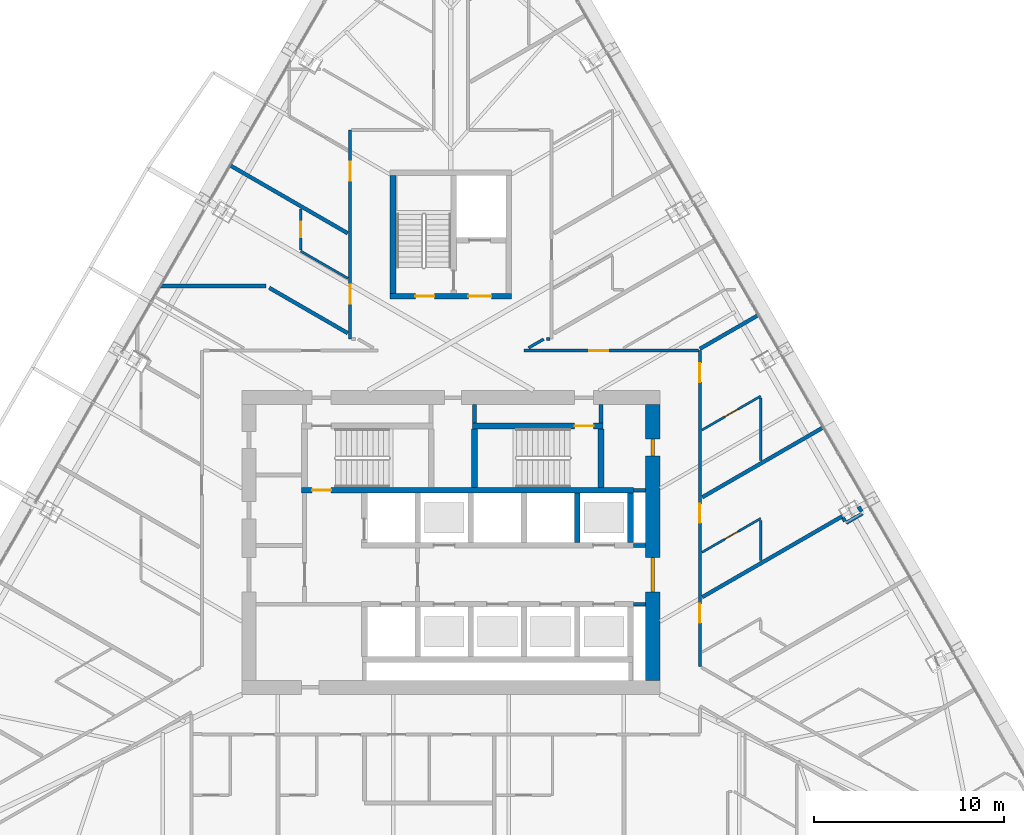
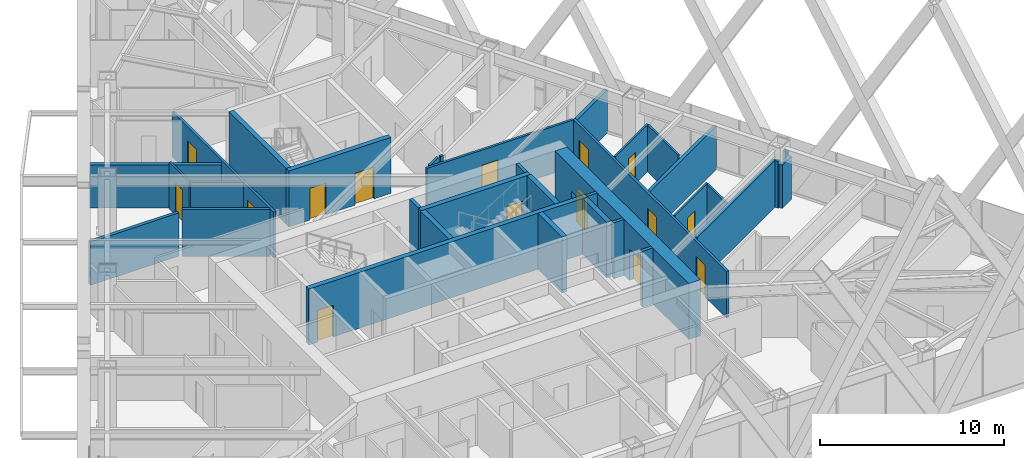
# One storey, part 18 of 26: 34 walls, 15 doors, 15 openings.
"""IFC4 building model written with IfcOpenShell, lengths in metres."""

from ifc_helpers import new_model, si_unit, direction, frame, frame_2d, origin, place, context, subcontext, project, spatial, rectangle, extrude, material, layer, layer_set, type_object, element, fill, save


model = new_model("IFC4")

# Units and contexts
model_context = context("Model", 3, precision=1e-05, world=origin(), true_north=direction((0.0, 1.0)))
body_context = subcontext(model_context, "Body", "Model", "MODEL_VIEW")
ifc_project = project(units=[si_unit("LENGTHUNIT", "METRE"), si_unit("AREAUNIT", "SQUARE_METRE"), si_unit("VOLUMEUNIT", "CUBIC_METRE"), si_unit("PLANEANGLEUNIT", "RADIAN"), si_unit("MASSUNIT", "GRAM", prefix="KILO")], contexts=[model_context])

# Site, building, storey
site_placement = place(None, origin())
site = spatial("IfcSite", under=ifc_project, at=site_placement, CompositionType="ELEMENT")
building_placement = place(site_placement, origin())
building = spatial("IfcBuilding", under=site, at=building_placement, Name="Firuza Gate Tower and Library", CompositionType="ELEMENT")
storey_placement = place(building_placement, frame((0.0, 0.0, 155.800048828125)))
storey = spatial("IfcBuildingStorey", under=building, at=storey_placement, Name="L35", CompositionType="ELEMENT", Elevation=155.800048828125)

# Walls
ifc_material_1 = material(Name="Plasterboard on steel studs", Category="steel")
ifc_layer_1 = layer(ifc_material_1, 0.199951171875)
ifc_layer_set_1 = layer_set([ifc_layer_1], Name="Core partition 200 EI 120")
wall_type_1 = type_object("IfcWallType", Name="Core partition 200 EI 120", PredefinedType="PARTITIONING", material=ifc_layer_set_1)
for number, where, z_axis, x_axis, name in (
    (1, (84.60009765625, 71.75, 0.0), (0.0, 0.0, 1.0), (1.0, 0.0, 0.0), "Core partition L35 2"),
    (2, (84.60009765625, 74.85009765625, 0.0), (0.0, 0.0, 1.0), (1.0, 0.0, 0.0), "Core partition L35 4"),
    (3, (84.60009765625, 77.75, 0.0), (0.0, 0.0, 1.0), (1.0, 0.0, 0.0), "Core partition L35 5"),
):
    element("IfcWall", number, at=place(storey_placement, frame(where, z_axis=z_axis, x_axis=x_axis)), inside=storey, type_object=wall_type_1, Name=name, PredefinedType="PARTITIONING", context=body_context, shape_type="SweptSolid", body=[
        extrude(rectangle(XDim=0.64990234375, YDim=0.199951171875, at=frame_2d((0.324951171875, 0.0))), origin(), (0.0, 0.0, 1.0), 3.699951171875),
    ])
for number, where, z_axis, x_axis, name in (
    (4, (76.239990234375, 81.280029296875, 0.0), (0.0, 0.0, 1.0), (0.0, 1.0, 0.0), "Core partition L35 12"),
    (5, (82.89990234375, 81.280029296875, 0.0), (0.0, 0.0, 1.0), (0.0, 1.0, 0.0), "Core partition L35 13"),
):
    element("IfcWall", number, at=place(storey_placement, frame(where, z_axis=z_axis, x_axis=x_axis)), inside=storey, type_object=wall_type_1, Name=name, PredefinedType="PARTITIONING", context=body_context, shape_type="SweptSolid", body=[
        extrude(rectangle(XDim=0.969970703125, YDim=0.199951171875, at=frame_2d((0.48486328125, 0.0))), origin(), (0.0, 0.0, 1.0), 3.699951171875),
    ])
ifc_material_2 = material(Name="Concrete C80/95", Category="concrete")
ifc_layer_2 = layer(ifc_material_2, 0.300048828125)
ifc_layer_set_2 = layer_set([ifc_layer_2], Name="Core wall 300 C80/95")
wall_type_2 = type_object("IfcWallType", Name="Core wall 300 C80/95", PredefinedType="SHEAR", material=ifc_layer_set_2)
for number, where, z_axis, x_axis, name in (
    (6, (81.64990234375, 75.0, 0.0), (0.0, 0.0, 1.0), (0.0, 1.0, 0.0), "Core wall L35 17"),
    (7, (84.449951171875, 75.0, 0.0), (0.0, 0.0, 1.0), (0.0, 1.0, 0.0), "Core wall L35 19"),
):
    element("IfcWall", number, at=place(storey_placement, frame(where, z_axis=z_axis, x_axis=x_axis)), inside=storey, type_object=wall_type_2, Name=name, PredefinedType="SHEAR", context=body_context, shape_type="SweptSolid", body=[
        extrude(rectangle(XDim=2.60009765625, YDim=0.300048828125, at=frame_2d((1.300048828125, 0.0))), origin(), (0.0, 0.0, 1.0), 3.699951171875),
    ])

# Wall, opening, door
wall_1_placement = place(storey_placement, frame((67.14990234375, 77.75, 0.0), z_axis=(0.0, 0.0, 1.0), x_axis=(1.0, 0.0, 0.0)))
wall_1 = element("IfcWall", 8, at=wall_1_placement, inside=storey, type_object=wall_type_2, Name="Core wall L35 20", PredefinedType="SHEAR", context=body_context, shape_type="SweptSolid", body=[
    extrude(rectangle(XDim=17.4501953125, YDim=0.300048828125, at=frame_2d((8.72509765625, 0.0))), origin(), (0.0, 0.0, 1.0), 3.699951171875),
])
opening_1_placement = place(wall_1_placement, frame((0.544921875, 0.0, 0.0)))
opening_1 = element("IfcOpeningElement", 9, at=opening_1_placement, cuts=wall_1, Name="Opening L35-K10", PredefinedType="OPENING", context=body_context, shape_type="SweptSolid", body=[
    extrude(rectangle(XDim=1.0, YDim=2.10009765625, at=frame_2d((0.5, 1.050048828125))), frame((0.0, 0.16015625, 0.0), z_axis=(0.0, -1.0, 0.0), x_axis=(1.0, 0.0, 0.0)), (0.0, 0.0, 1.0), 0.320068359375),
])
ifc_material_3 = material(Name="Steel", Category="steel")
door_type_1 = type_object("IfcDoorType", Name="Fire door 1000x2100 FD90", OperationType="NOTDEFINED", PredefinedType="DOOR", material=ifc_material_3)
door_1_placement = place(opening_1_placement, origin())
door_1 = element("IfcDoor", 10, at=door_1_placement, inside=storey, type_object=door_type_1, Name="Door L35-K10", OperationType="SINGLE_SWING_LEFT", OverallHeight=2.10009765625, OverallWidth=1.0, PredefinedType="DOOR", context=body_context, shape_type="SweptSolid", body=[
    extrude(rectangle(XDim=1.0, YDim=2.10009765625, at=frame_2d((0.5, 1.050048828125))), frame((0.0, 0.02490234375, 0.0), z_axis=(0.0, -1.0, 0.0), x_axis=(1.0, 0.0, 0.0)), (0.0, 0.0, 1.0), 0.050048828125),
])
fill(opening_1, door_1)

wall_2_placement = place(storey_placement, frame((76.139892578125, 81.1298828125, 0.0), z_axis=(0.0, 0.0, 1.0), x_axis=(1.0, 0.0, 0.0)))
wall_2 = element("IfcWall", 11, at=wall_2_placement, inside=storey, type_object=wall_type_2, Name="Core wall L35 22", PredefinedType="SHEAR", context=body_context, shape_type="SweptSolid", body=[
    extrude(rectangle(XDim=6.860107421875, YDim=0.300048828125, at=frame_2d((3.43017578125, 0.0))), origin(), (0.0, 0.0, 1.0), 3.699951171875),
])
opening_2_placement = place(wall_2_placement, frame((5.364990234375, 0.0, 0.0)))
opening_2 = element("IfcOpeningElement", 12, at=opening_2_placement, cuts=wall_2, Name="Opening L35-K13", PredefinedType="OPENING", context=body_context, shape_type="SweptSolid", body=[
    extrude(rectangle(XDim=1.0, YDim=2.10009765625, at=frame_2d((0.5, 1.050048828125))), frame((0.0, 0.16015625, 0.0), z_axis=(0.0, -1.0, 0.0), x_axis=(1.0, 0.0, 0.0)), (0.0, 0.0, 1.0), 0.320068359375),
])
door_2_placement = place(opening_2_placement, origin())
door_2 = element("IfcDoor", 13, at=door_2_placement, inside=storey, type_object=door_type_1, Name="Door L35-K13", OperationType="SINGLE_SWING_RIGHT", OverallHeight=2.10009765625, OverallWidth=1.0, PredefinedType="DOOR", context=body_context, shape_type="SweptSolid", body=[
    extrude(rectangle(XDim=1.0, YDim=2.10009765625, at=frame_2d((0.5, 1.050048828125))), frame((0.0, 0.02490234375, 0.0), z_axis=(0.0, -1.0, 0.0), x_axis=(1.0, 0.0, 0.0)), (0.0, 0.0, 1.0), 0.050048828125),
])
fill(opening_2, door_2)

# Walls
for number, where, z_axis, x_axis, name in (
    (14, (76.239990234375, 77.89990234375, 0.0), (0.0, 0.0, 1.0), (0.0, 1.0, 0.0), "Core wall L35 25"),
    (15, (82.89990234375, 77.89990234375, 0.0), (0.0, 0.0, 1.0), (0.0, 1.0, 0.0), "Core wall L35 26"),
):
    element("IfcWall", number, at=place(storey_placement, frame(where, z_axis=z_axis, x_axis=x_axis)), inside=storey, type_object=wall_type_2, Name=name, PredefinedType="SHEAR", context=body_context, shape_type="SweptSolid", body=[
        extrude(rectangle(XDim=3.080078125, YDim=0.300048828125, at=frame_2d((1.5400390625, 0.0))), origin(), (0.0, 0.0, 1.0), 3.699951171875),
    ])

# Wall, openings, doors
wall_3_placement = place(storey_placement, frame((71.800048828125, 87.949951171875, 0.0), z_axis=(0.0, 0.0, 1.0), x_axis=(1.0, 0.0, 0.0)))
wall_3 = element("IfcWall", 16, at=wall_3_placement, inside=storey, type_object=wall_type_2, Name="Core wall L35 27", PredefinedType="SHEAR", context=body_context, shape_type="SweptSolid", body=[
    extrude(rectangle(XDim=6.39990234375, YDim=0.300048828125, at=frame_2d((3.199951171875, 0.0))), origin(), (0.0, 0.0, 1.0), 3.699951171875),
])
opening_3_placement = place(wall_3_placement, frame((1.324951171875, 0.0, 0.0)))
opening_3 = element("IfcOpeningElement", 17, at=opening_3_placement, cuts=wall_3, Name="Opening L35-K15", PredefinedType="OPENING", context=body_context, shape_type="SweptSolid", body=[
    extrude(rectangle(XDim=1.0, YDim=2.10009765625, at=frame_2d((0.5, 1.050048828125))), frame((0.0, 0.16015625, 0.0), z_axis=(0.0, -1.0, 0.0), x_axis=(1.0, 0.0, 0.0)), (0.0, 0.0, 1.0), 0.320068359375),
])
opening_4_placement = place(wall_3_placement, frame((4.125, 0.0, 0.0)))
opening_4 = element("IfcOpeningElement", 18, at=opening_4_placement, cuts=wall_3, Name="Opening L35-K17", PredefinedType="OPENING", context=body_context, shape_type="SweptSolid", body=[
    extrude(rectangle(XDim=1.199951171875, YDim=2.10009765625, at=frame_2d((0.60009765625, 1.050048828125))), frame((0.0, 0.16015625, 0.0), z_axis=(0.0, -1.0, 0.0), x_axis=(1.0, 0.0, 0.0)), (0.0, 0.0, 1.0), 0.320068359375),
])
door_3_placement = place(opening_3_placement, origin())
door_3 = element("IfcDoor", 19, at=door_3_placement, inside=storey, type_object=door_type_1, Name="Door L35-K15", OperationType="SINGLE_SWING_RIGHT", OverallHeight=2.10009765625, OverallWidth=1.0, PredefinedType="DOOR", context=body_context, shape_type="SweptSolid", body=[
    extrude(rectangle(XDim=1.0, YDim=2.10009765625, at=frame_2d((0.5, 1.050048828125))), frame((0.0, 0.02490234375, 0.0), z_axis=(0.0, -1.0, 0.0), x_axis=(1.0, 0.0, 0.0)), (0.0, 0.0, 1.0), 0.050048828125),
])
fill(opening_3, door_3)
ifc_material_4 = material(Name="Steel", Category="steel")
door_type_2 = type_object("IfcDoorType", Name="Fire door 1200x2100 FD30S", OperationType="NOTDEFINED", PredefinedType="DOOR", material=ifc_material_4)
door_4_placement = place(opening_4_placement, origin())
door_4 = element("IfcDoor", 20, at=door_4_placement, inside=storey, type_object=door_type_2, Name="Door L35-K17", OperationType="SINGLE_SWING_RIGHT", OverallHeight=2.10009765625, OverallWidth=1.199951171875, PredefinedType="DOOR", context=body_context, shape_type="SweptSolid", body=[
    extrude(rectangle(XDim=1.199951171875, YDim=2.10009765625, at=frame_2d((0.60009765625, 1.050048828125))), frame((0.0, 0.02490234375, 0.0), z_axis=(0.0, -1.0, 0.0), x_axis=(1.0, 0.0, 0.0)), (0.0, 0.0, 1.0), 0.050048828125),
])
fill(opening_4, door_4)

# Wall
wall_4_placement = place(storey_placement, frame((71.949951171875, 88.10009765625, 0.0), z_axis=(0.0, 0.0, 1.0), x_axis=(0.0, 1.0, 0.0)))
element("IfcWall", 21, at=wall_4_placement, inside=storey, type_object=wall_type_2, Name="Core wall L35 29", PredefinedType="SHEAR", context=body_context, shape_type="SweptSolid", body=[
    extrude(rectangle(XDim=6.199951171875, YDim=0.300048828125, at=frame_2d((3.10009765625, 0.0))), origin(), (0.0, 0.0, 1.0), 3.699951171875),
])

# Wall, openings, doors
ifc_material_5 = material(Name="Concrete C80/95", Category="concrete")
ifc_layer_3 = layer(ifc_material_5, 0.75)
ifc_layer_set_3 = layer_set([ifc_layer_3], Name="Core wall 750 C80/95")
wall_type_3 = type_object("IfcWallType", Name="Core wall 750 C80/95", PredefinedType="SHEAR", material=ifc_layer_set_3)
wall_5_placement = place(storey_placement, frame((85.625, 67.75, 0.0), z_axis=(0.0, 0.0, 1.0), x_axis=(0.0, 1.0, 0.0)))
wall_5 = element("IfcWall", 22, at=wall_5_placement, inside=storey, type_object=wall_type_3, Name="Core wall L35 4", PredefinedType="SHEAR", context=body_context, shape_type="SweptSolid", body=[
    extrude(rectangle(XDim=14.5, YDim=0.75, at=frame_2d((7.25, 0.0))), origin(), (0.0, 0.0, 1.0), 3.699951171875),
])
opening_5_placement = place(wall_5_placement, frame((4.64990234375, 0.0, 0.0)))
opening_5 = element("IfcOpeningElement", 23, at=opening_5_placement, cuts=wall_5, Name="Opening L35-K21", PredefinedType="OPENING", context=body_context, shape_type="SweptSolid", body=[
    extrude(rectangle(XDim=1.800048828125, YDim=2.10009765625, at=frame_2d((0.89990234375, 1.050048828125))), frame((0.0, 0.385009765625, 0.0), z_axis=(0.0, -1.0, 0.0), x_axis=(1.0, 0.0, 0.0)), (0.0, 0.0, 1.0), 0.77001953125),
])
opening_6_placement = place(wall_5_placement, frame((11.800048828125, 0.0, 0.0)))
opening_6 = element("IfcOpeningElement", 24, at=opening_6_placement, cuts=wall_5, Name="Opening L35-K26", PredefinedType="OPENING", context=body_context, shape_type="SweptSolid", body=[
    extrude(rectangle(XDim=0.89990234375, YDim=2.10009765625, at=frame_2d((0.449951171875, 1.050048828125))), frame((0.0, 0.385009765625, 0.0), z_axis=(0.0, -1.0, 0.0), x_axis=(1.0, 0.0, 0.0)), (0.0, 0.0, 1.0), 0.77001953125),
])
ifc_material_6 = material(Name="Steel", Category="steel")
door_type_3 = type_object("IfcDoorType", Name="Fire door 1800x2100 FD30S", OperationType="NOTDEFINED", PredefinedType="DOOR", material=ifc_material_6)
door_5_placement = place(opening_5_placement, origin())
door_5 = element("IfcDoor", 25, at=door_5_placement, inside=storey, type_object=door_type_3, Name="Door L35-K21", OperationType="SINGLE_SWING_RIGHT", OverallHeight=2.10009765625, OverallWidth=1.800048828125, PredefinedType="DOOR", context=body_context, shape_type="SweptSolid", body=[
    extrude(rectangle(XDim=1.800048828125, YDim=2.10009765625, at=frame_2d((0.89990234375, 1.050048828125))), frame((0.0, 0.094970703125, 0.0), z_axis=(0.0, -1.0, 0.0), x_axis=(1.0, 0.0, 0.0)), (0.0, 0.0, 1.0), 0.18994140625),
])
fill(opening_5, door_5)
ifc_material_7 = material(Name="Steel", Category="steel")
door_type_4 = type_object("IfcDoorType", Name="Fire door 900x2100 FD30S", OperationType="NOTDEFINED", PredefinedType="DOOR", material=ifc_material_7)
door_6_placement = place(opening_6_placement, origin())
door_6 = element("IfcDoor", 26, at=door_6_placement, inside=storey, type_object=door_type_4, Name="Door L35-K26", OperationType="SINGLE_SWING_LEFT", OverallHeight=2.10009765625, OverallWidth=0.89990234375, PredefinedType="DOOR", context=body_context, shape_type="SweptSolid", body=[
    extrude(rectangle(XDim=0.89990234375, YDim=2.10009765625, at=frame_2d((0.449951171875, 1.050048828125))), frame((0.0, 0.094970703125, 0.0), z_axis=(0.0, -1.0, 0.0), x_axis=(1.0, 0.0, 0.0)), (0.0, 0.0, 1.0), 0.18994140625),
])
fill(opening_6, door_6)

# Wall, opening, door
ifc_material_8 = material(Name="Gypsum board partition")
ifc_layer_4 = layer(ifc_material_8, 0.14990234375)
ifc_layer_set_4 = layer_set([ifc_layer_4], Name="Corridor wall 150 double board on steel studs")
wall_type_4 = type_object("IfcWallType", Name="Corridor wall 150 double board on steel studs", PredefinedType="PARTITIONING", material=ifc_layer_set_4)
wall_6_placement = place(storey_placement, frame((78.84375, 85.10009765625, 0.0), z_axis=(0.0, 0.0, 1.0), x_axis=(1.0, 0.0, 0.0)))
wall_6 = element("IfcWall", 27, at=wall_6_placement, inside=storey, type_object=wall_type_4, Name="f:L35:w014", PredefinedType="PARTITIONING", context=body_context, shape_type="SweptSolid", body=[
    extrude(rectangle(XDim=9.1806640625, YDim=0.14990234375, at=frame_2d((4.59033203125, 0.0))), origin(), (0.0, 0.0, 1.0), 3.099853515625),
])
opening_7_placement = place(wall_6_placement, frame((3.439453125, 0.0, 0.0)))
opening_7 = element("IfcOpeningElement", 28, at=opening_7_placement, cuts=wall_6, Name="Opening L35-12", PredefinedType="OPENING", context=body_context, shape_type="SweptSolid", body=[
    extrude(rectangle(XDim=1.0, YDim=2.10009765625, at=frame_2d((0.5, 1.050048828125))), frame((0.0, 0.0849609375, 0.0), z_axis=(0.0, -1.0, 0.0), x_axis=(1.0, 0.0, 0.0)), (0.0, 0.0, 1.0), 0.169921875),
])
ifc_material_9 = material(Name="Steel door and timber leaf", Category="steel")
door_type_5 = type_object("IfcDoorType", Name="Fire door 1000 x 2100 steel frame, timber leaf", OperationType="NOTDEFINED", PredefinedType="DOOR", material=ifc_material_9)
door_7_placement = place(opening_7_placement, origin())
door_7 = element("IfcDoor", 29, at=door_7_placement, inside=storey, type_object=door_type_5, Name="f:L35:d012", OperationType="SINGLE_SWING_RIGHT", OverallHeight=2.10009765625, OverallWidth=1.0, PredefinedType="DOOR", context=body_context, shape_type="SweptSolid", body=[
    extrude(rectangle(XDim=1.0, YDim=2.10009765625, at=frame_2d((0.5, 1.050048828125))), frame((0.0, 0.02490234375, 0.0), z_axis=(0.0, -1.0, 0.0), x_axis=(1.0, 0.0, 0.0)), (0.0, 0.0, 1.0), 0.050048828125),
])
fill(opening_7, door_7)

# Walls
wall_7_placement = place(storey_placement, frame((80.032958984375, 85.699951171875, 0.0), z_axis=(0.0, 0.0, 1.0), x_axis=(1.0, 0.0, 0.0)))
element("IfcWall", 30, at=wall_7_placement, inside=storey, type_object=wall_type_4, Name="f:L35:w016", PredefinedType="PARTITIONING", context=body_context, shape_type="SweptSolid", body=[
    extrude(rectangle(XDim=0.192138671875, YDim=0.14990234375, at=frame_2d((0.09619140625, 0.0))), origin(), (0.0, 0.0, 1.0), 3.099853515625),
])
wall_8_placement = place(storey_placement, frame((79.086181640625, 85.239990234375, 0.0), z_axis=(0.0, 0.0, 1.0), x_axis=(0.865898279276, 0.500220121494, 0.0)))
element("IfcWall", 31, at=wall_8_placement, inside=storey, type_object=wall_type_4, Name="f:L35:w042", PredefinedType="PARTITIONING", context=body_context, shape_type="SweptSolid", body=[
    extrude(rectangle(XDim=0.919921875, YDim=0.14990234375, at=frame_2d((0.4599609375, 0.0))), origin(), (0.0, 0.0, 1.0), 3.099853515625),
])

# Wall, openings, doors
wall_9_placement = place(storey_placement, frame((88.10009765625, 85.099609375, 0.0), z_axis=(0.0, 0.0, 1.0), x_axis=(0.0, -1.0, 0.0)))
wall_9 = element("IfcWall", 32, at=wall_9_placement, inside=storey, type_object=wall_type_4, Name="f:L35:w060", PredefinedType="PARTITIONING", context=body_context, shape_type="SweptSolid", body=[
    extrude(rectangle(XDim=16.623779296875, YDim=0.14990234375, at=frame_2d((8.31201171875, 0.0))), origin(), (0.0, 0.0, 1.0), 3.099853515625),
])
opening_8_placement = place(wall_9_placement, frame((0.656982421875, 0.0, 0.0)))
opening_8 = element("IfcOpeningElement", 33, at=opening_8_placement, cuts=wall_9, Name="Opening L35-30", PredefinedType="OPENING", context=body_context, shape_type="SweptSolid", body=[
    extrude(rectangle(XDim=1.0, YDim=2.10009765625, at=frame_2d((0.5, 1.050048828125))), frame((0.0, 0.0849609375, 0.0), z_axis=(0.0, -1.0, 0.0), x_axis=(1.0, 0.0, 0.0)), (0.0, 0.0, 1.0), 0.169921875),
])
opening_9_placement = place(wall_9_placement, frame((8.071044921875, 0.0, 0.0)))
opening_9 = element("IfcOpeningElement", 34, at=opening_9_placement, cuts=wall_9, Name="Opening L35-31", PredefinedType="OPENING", context=body_context, shape_type="SweptSolid", body=[
    extrude(rectangle(XDim=1.0, YDim=2.10009765625, at=frame_2d((0.5, 1.050048828125))), frame((0.0, 0.0849609375, 0.0), z_axis=(0.0, -1.0, 0.0), x_axis=(1.0, 0.0, 0.0)), (0.0, 0.0, 1.0), 0.169921875),
])
opening_10_placement = place(wall_9_placement, frame((13.324951171875, 0.0, 0.0)))
opening_10 = element("IfcOpeningElement", 35, at=opening_10_placement, cuts=wall_9, Name="Opening L35-32", PredefinedType="OPENING", context=body_context, shape_type="SweptSolid", body=[
    extrude(rectangle(XDim=1.0, YDim=2.10009765625, at=frame_2d((0.5, 1.050048828125))), frame((0.0, 0.0849609375, 0.0), z_axis=(0.0, -1.0, 0.0), x_axis=(1.0, 0.0, 0.0)), (0.0, 0.0, 1.0), 0.169921875),
])
door_8_placement = place(opening_8_placement, origin())
door_8 = element("IfcDoor", 36, at=door_8_placement, inside=storey, type_object=door_type_5, Name="f:L35:d030", OperationType="SINGLE_SWING_LEFT", OverallHeight=2.10009765625, OverallWidth=1.0, PredefinedType="DOOR", context=body_context, shape_type="SweptSolid", body=[
    extrude(rectangle(XDim=1.0, YDim=2.10009765625, at=frame_2d((0.5, 1.050048828125))), frame((0.0, 0.02490234375, 0.0), z_axis=(0.0, -1.0, 0.0), x_axis=(1.0, 0.0, 0.0)), (0.0, 0.0, 1.0), 0.050048828125),
])
fill(opening_8, door_8)
door_9_placement = place(opening_9_placement, origin())
door_9 = element("IfcDoor", 37, at=door_9_placement, inside=storey, type_object=door_type_5, Name="f:L35:d031", OperationType="SINGLE_SWING_LEFT", OverallHeight=2.10009765625, OverallWidth=1.0, PredefinedType="DOOR", context=body_context, shape_type="SweptSolid", body=[
    extrude(rectangle(XDim=1.0, YDim=2.10009765625, at=frame_2d((0.5, 1.050048828125))), frame((0.0, 0.02490234375, 0.0), z_axis=(0.0, -1.0, 0.0), x_axis=(1.0, 0.0, 0.0)), (0.0, 0.0, 1.0), 0.050048828125),
])
fill(opening_9, door_9)
door_10_placement = place(opening_10_placement, origin())
door_10 = element("IfcDoor", 38, at=door_10_placement, inside=storey, type_object=door_type_5, Name="f:L35:d032", OperationType="SINGLE_SWING_LEFT", OverallHeight=2.10009765625, OverallWidth=1.0, PredefinedType="DOOR", context=body_context, shape_type="SweptSolid", body=[
    extrude(rectangle(XDim=1.0, YDim=2.10009765625, at=frame_2d((0.5, 1.050048828125))), frame((0.0, 0.02490234375, 0.0), z_axis=(0.0, -1.0, 0.0), x_axis=(1.0, 0.0, 0.0)), (0.0, 0.0, 1.0), 0.050048828125),
])
fill(opening_10, door_10)

wall_10_placement = place(storey_placement, frame((69.699951171875, 85.699951171875, 0.0), z_axis=(0.0, 0.0, 1.0), x_axis=(0.0, 1.0, 0.0)))
wall_10 = element("IfcWall", 39, at=wall_10_placement, inside=storey, type_object=wall_type_4, Name="f:L35:w076", PredefinedType="PARTITIONING", context=body_context, shape_type="SweptSolid", body=[
    extrude(rectangle(XDim=11.0, YDim=0.14990234375, at=frame_2d((5.5, 0.0))), origin(), (0.0, 0.0, 1.0), 3.02197265625),
])
opening_11_placement = place(wall_10_placement, frame((1.849365234375, 0.0, 0.0)))
opening_11 = element("IfcOpeningElement", 40, at=opening_11_placement, cuts=wall_10, Name="Opening L35-37", PredefinedType="OPENING", context=body_context, shape_type="SweptSolid", body=[
    extrude(rectangle(XDim=1.0, YDim=2.10009765625, at=frame_2d((0.5, 1.050048828125))), frame((0.0, 0.0849609375, 0.0), z_axis=(0.0, -1.0, 0.0), x_axis=(1.0, 0.0, 0.0)), (0.0, 0.0, 1.0), 0.169921875),
])
opening_12_placement = place(wall_10_placement, frame((8.33154296875, 0.0, 0.0)))
opening_12 = element("IfcOpeningElement", 41, at=opening_12_placement, cuts=wall_10, Name="Opening L35-38", PredefinedType="OPENING", context=body_context, shape_type="SweptSolid", body=[
    extrude(rectangle(XDim=1.0, YDim=2.10009765625, at=frame_2d((0.5, 1.050048828125))), frame((0.0, 0.0849609375, 0.0), z_axis=(0.0, -1.0, 0.0), x_axis=(1.0, 0.0, 0.0)), (0.0, 0.0, 1.0), 0.169921875),
])
door_11_placement = place(opening_11_placement, origin())
door_11 = element("IfcDoor", 42, at=door_11_placement, inside=storey, type_object=door_type_5, Name="f:L35:d037", OperationType="SINGLE_SWING_LEFT", OverallHeight=2.10009765625, OverallWidth=1.0, PredefinedType="DOOR", context=body_context, shape_type="SweptSolid", body=[
    extrude(rectangle(XDim=1.0, YDim=2.10009765625, at=frame_2d((0.5, 1.050048828125))), frame((0.0, 0.02490234375, 0.0), z_axis=(0.0, -1.0, 0.0), x_axis=(1.0, 0.0, 0.0)), (0.0, 0.0, 1.0), 0.050048828125),
])
fill(opening_11, door_11)
door_12_placement = place(opening_12_placement, origin())
door_12 = element("IfcDoor", 43, at=door_12_placement, inside=storey, type_object=door_type_5, Name="f:L35:d038", OperationType="SINGLE_SWING_LEFT", OverallHeight=2.10009765625, OverallWidth=1.0, PredefinedType="DOOR", context=body_context, shape_type="SweptSolid", body=[
    extrude(rectangle(XDim=1.0, YDim=2.10009765625, at=frame_2d((0.5, 1.050048828125))), frame((0.0, 0.02490234375, 0.0), z_axis=(0.0, -1.0, 0.0), x_axis=(1.0, 0.0, 0.0)), (0.0, 0.0, 1.0), 0.050048828125),
])
fill(opening_12, door_12)

# Walls
ifc_material_10 = material(Name="Gypsum board partition")
ifc_layer_5 = layer(ifc_material_10, 0.199951171875)
ifc_layer_set_5 = layer_set([ifc_layer_5], Name="Demising wall 200 acoustic double stud")
wall_type_5 = type_object("IfcWallType", Name="Demising wall 200 acoustic double stud", PredefinedType="PARTITIONING", material=ifc_layer_set_5)
wall_11_placement = place(storey_placement, frame((59.724853515625, 88.5, 0.0), z_axis=(0.0, 0.0, 1.0), x_axis=(1.0, 0.0, 0.0)))
element("IfcWall", 44, at=wall_11_placement, inside=storey, type_object=wall_type_5, Name="f:L35:w019", PredefinedType="PARTITIONING", context=body_context, shape_type="SweptSolid", body=[
    extrude(rectangle(XDim=5.54248046875, YDim=0.199951171875, at=frame_2d((2.771240234375, 0.0))), origin(), (0.0, 0.0, 1.0), 2.864990234375),
])
wall_12_placement = place(storey_placement, frame((95.787841796875, 76.032470703125, 0.0), z_axis=(0.0, 0.0, 1.0), x_axis=(0.866039090965, 0.499976292358, 0.0)))
element("IfcWall", 45, at=wall_12_placement, inside=storey, type_object=wall_type_5, Name="f:L35:w030", PredefinedType="PARTITIONING", context=body_context, shape_type="SweptSolid", body=[
    extrude(rectangle(XDim=0.9990234375, YDim=0.199951171875, at=frame_2d((0.49951171875, 0.0))), origin(), (0.0, 0.0, 1.0), 2.864990234375),
])
wall_13_placement = place(storey_placement, frame((88.226806640625, 72.12890625, 0.0), z_axis=(0.0, 0.0, 1.0), x_axis=(0.866037293988, 0.499979404997, 0.0)))
element("IfcWall", 46, at=wall_13_placement, inside=storey, type_object=wall_type_5, Name="f:L35:w031", PredefinedType="PARTITIONING", context=body_context, shape_type="SweptSolid", body=[
    extrude(rectangle(XDim=8.498779296875, YDim=0.199951171875, at=frame_2d((4.24951171875, 0.0))), origin(), (0.0, 0.0, 1.0), 3.099853515625),
])
wall_14_placement = place(storey_placement, frame((88.226806640625, 77.3828125, 0.0), z_axis=(0.0, 0.0, 1.0), x_axis=(0.866023680911, 0.500002984092, 0.0)))
element("IfcWall", 47, at=wall_14_placement, inside=storey, type_object=wall_type_5, Name="f:L35:w033", PredefinedType="PARTITIONING", context=body_context, shape_type="SweptSolid", body=[
    extrude(rectangle(XDim=7.33251953125, YDim=0.199951171875, at=frame_2d((3.666259765625, 0.0))), origin(), (0.0, 0.0, 1.0), 2.864990234375),
])
wall_15_placement = place(storey_placement, frame((88.099609375, 85.190185546875, 0.0), z_axis=(0.0, 0.0, 1.0), x_axis=(0.866039681005, 0.499975270313, 0.0)))
element("IfcWall", 48, at=wall_15_placement, inside=storey, type_object=wall_type_5, Name="f:L35:w038", PredefinedType="PARTITIONING", context=body_context, shape_type="SweptSolid", body=[
    extrude(rectangle(XDim=3.538818359375, YDim=0.199951171875, at=frame_2d((1.76953125, 0.0))), origin(), (0.0, 0.0, 1.0), 2.864990234375),
])
wall_16_placement = place(storey_placement, frame((96.60302734375, 76.618896484375, 0.0), z_axis=(0.0, 0.0, 1.0), x_axis=(-0.500617711777, 0.865668473872, 0.0)))
element("IfcWall", 49, at=wall_16_placement, inside=storey, type_object=wall_type_5, Name="f:L35:w089", PredefinedType="PARTITIONING", context=body_context, shape_type="SweptSolid", body=[
    extrude(rectangle(XDim=0.298828125, YDim=0.199951171875, at=frame_2d((0.1494140625, 0.0))), origin(), (0.0, 0.0, 1.0), 3.099853515625),
])
wall_17_placement = place(storey_placement, frame((95.73681640625, 76.118896484375, 0.0), z_axis=(0.0, 0.0, 1.0), x_axis=(-0.499439139722, 0.866348974555, 0.0)))
element("IfcWall", 50, at=wall_17_placement, inside=storey, type_object=wall_type_5, Name="f:L35:w090", PredefinedType="PARTITIONING", context=body_context, shape_type="SweptSolid", body=[
    extrude(rectangle(XDim=0.198974609375, YDim=0.199951171875, at=frame_2d((0.099609375, 0.0))), origin(), (0.0, 0.0, 1.0), 3.099853515625),
])
wall_18_placement = place(storey_placement, frame((69.572998046875, 91.26806640625, 0.0), z_axis=(0.0, 0.0, 1.0), x_axis=(-0.866030807744, 0.499990639951, 0.0)))
element("IfcWall", 51, at=wall_18_placement, inside=storey, type_object=wall_type_5, Name="f:L35:w097", PredefinedType="PARTITIONING", context=body_context, shape_type="SweptSolid", body=[
    extrude(rectangle(XDim=7.144775390625, YDim=0.199951171875, at=frame_2d((3.572265625, 0.0))), origin(), (0.0, 0.0, 1.0), 2.864990234375),
])
wall_19_placement = place(storey_placement, frame((69.572998046875, 86.01416015625, 0.0), z_axis=(0.0, 0.0, 1.0), x_axis=(-0.866008358604, 0.500029521957, 0.0)))
element("IfcWall", 52, at=wall_19_placement, inside=storey, type_object=wall_type_5, Name="f:L35:w100", PredefinedType="PARTITIONING", context=body_context, shape_type="SweptSolid", body=[
    extrude(rectangle(XDim=4.771728515625, YDim=0.199951171875, at=frame_2d((2.3857421875, 0.0))), origin(), (0.0, 0.0, 1.0), 3.099853515625),
])

# Wall, opening, door
ifc_material_11 = material(Name="Gypsum board partition")
ifc_layer_6 = layer(ifc_material_11, 0.1201171875)
ifc_layer_set_6 = layer_set([ifc_layer_6], Name="Wet-area partition 120 moisture-resistant board")
wall_type_6 = type_object("IfcWallType", Name="Wet-area partition 120 moisture-resistant board", PredefinedType="PARTITIONING", material=ifc_layer_set_6)
wall_20_placement = place(storey_placement, frame((91.30029296875, 76.266845703125, 0.0), z_axis=(0.0, 0.0, 1.0), x_axis=(-0.866028357664, -0.499994883695, 0.0)))
wall_20 = element("IfcWall", 53, at=wall_20_placement, inside=storey, type_object=wall_type_6, Name="f:L35:w032", PredefinedType="PARTITIONING", context=body_context, shape_type="SweptSolid", body=[
    extrude(rectangle(XDim=3.568359375, YDim=0.1201171875, at=frame_2d((1.7841796875, 0.0))), origin(), (0.0, 0.0, 1.0), 3.099853515625),
])
opening_13_placement = place(wall_20_placement, frame((1.38427734375, 0.0, 0.0)))
opening_13 = element("IfcOpeningElement", 54, at=opening_13_placement, cuts=wall_20, Name="Opening L35-17", PredefinedType="OPENING", context=body_context, shape_type="SweptSolid", body=[
    extrude(rectangle(XDim=0.800048828125, YDim=2.10009765625, at=frame_2d((0.39990234375, 1.050048828125))), frame((0.0, 0.070068359375, 0.0), z_axis=(0.0, -1.0, 0.0), x_axis=(1.0, 0.0, 0.0)), (0.0, 0.0, 1.0), 0.14013671875),
])
ifc_material_12 = material(Name="Timber door", Category="wood")
door_type_6 = type_object("IfcDoorType", Name="Door 800 x 2100 timber leaf", OperationType="NOTDEFINED", PredefinedType="DOOR", material=ifc_material_12)
door_13_placement = place(opening_13_placement, origin())
door_13 = element("IfcDoor", 55, at=door_13_placement, inside=storey, type_object=door_type_6, Name="f:L35:d017", OperationType="SINGLE_SWING_RIGHT", OverallHeight=2.10009765625, OverallWidth=0.800048828125, PredefinedType="DOOR", context=body_context, shape_type="SweptSolid", body=[
    extrude(rectangle(XDim=0.800048828125, YDim=2.10009765625, at=frame_2d((0.39990234375, 1.050048828125))), frame((0.0, 0.02490234375, 0.0), z_axis=(0.0, -1.0, 0.0), x_axis=(1.0, 0.0, 0.0)), (0.0, 0.0, 1.0), 0.050048828125),
])
fill(opening_13, door_13)

wall_21_placement = place(storey_placement, frame((91.300048828125, 82.703125, 0.0), z_axis=(0.0, 0.0, 1.0), x_axis=(-0.866028357664, -0.499994883695, 0.0)))
wall_21 = element("IfcWall", 56, at=wall_21_placement, inside=storey, type_object=wall_type_6, Name="f:L35:w034", PredefinedType="PARTITIONING", context=body_context, shape_type="SweptSolid", body=[
    extrude(rectangle(XDim=3.568359375, YDim=0.1201171875, at=frame_2d((1.7841796875, 0.0))), origin(), (0.0, 0.0, 1.0), 3.099853515625),
])
opening_14_placement = place(wall_21_placement, frame((1.38427734375, 0.0, 0.0)))
opening_14 = element("IfcOpeningElement", 57, at=opening_14_placement, cuts=wall_21, Name="Opening L35-18", PredefinedType="OPENING", context=body_context, shape_type="SweptSolid", body=[
    extrude(rectangle(XDim=0.800048828125, YDim=2.10009765625, at=frame_2d((0.39990234375, 1.050048828125))), frame((0.0, 0.070068359375, 0.0), z_axis=(0.0, -1.0, 0.0), x_axis=(1.0, 0.0, 0.0)), (0.0, 0.0, 1.0), 0.14013671875),
])
door_14_placement = place(opening_14_placement, origin())
door_14 = element("IfcDoor", 58, at=door_14_placement, inside=storey, type_object=door_type_6, Name="f:L35:d018", OperationType="SINGLE_SWING_RIGHT", OverallHeight=2.10009765625, OverallWidth=0.800048828125, PredefinedType="DOOR", context=body_context, shape_type="SweptSolid", body=[
    extrude(rectangle(XDim=0.800048828125, YDim=2.10009765625, at=frame_2d((0.39990234375, 1.050048828125))), frame((0.0, 0.02490234375, 0.0), z_axis=(0.0, -1.0, 0.0), x_axis=(1.0, 0.0, 0.0)), (0.0, 0.0, 1.0), 0.050048828125),
])
fill(opening_14, door_14)

# Walls
wall_22_placement = place(storey_placement, frame((91.300048828125, 74.05859375, 0.0), z_axis=(0.0, 0.0, 1.0), x_axis=(0.0, 1.0, 0.0)))
element("IfcWall", 59, at=wall_22_placement, inside=storey, type_object=wall_type_6, Name="f:L35:w055", PredefinedType="PARTITIONING", context=body_context, shape_type="SweptSolid", body=[
    extrude(rectangle(XDim=2.099365234375, YDim=0.1201171875, at=frame_2d((1.0498046875, 0.0))), origin(), (0.0, 0.0, 1.0), 3.099853515625),
])
wall_23_placement = place(storey_placement, frame((91.300048828125, 79.3125, 0.0), z_axis=(0.0, 0.0, 1.0), x_axis=(0.0, 1.0, 0.0)))
element("IfcWall", 60, at=wall_23_placement, inside=storey, type_object=wall_type_6, Name="f:L35:w056", PredefinedType="PARTITIONING", context=body_context, shape_type="SweptSolid", body=[
    extrude(rectangle(XDim=3.281494140625, YDim=0.1201171875, at=frame_2d((1.640625, 0.0))), origin(), (0.0, 0.0, 1.0), 3.099853515625),
])

# Wall, opening, door
wall_24_placement = place(storey_placement, frame((67.10009765625, 92.540283203125, 0.0), z_axis=(0.0, 0.0, 1.0), x_axis=(0.0, -1.0, 0.0)))
wall_24 = element("IfcWall", 61, at=wall_24_placement, inside=storey, type_object=wall_type_6, Name="f:L35:w078", PredefinedType="PARTITIONING", context=body_context, shape_type="SweptSolid", body=[
    extrude(rectangle(XDim=2.139404296875, YDim=0.1201171875, at=frame_2d((1.06982421875, 0.0))), origin(), (0.0, 0.0, 1.0), 3.099853515625),
])
opening_15_placement = place(wall_24_placement, frame((0.669677734375, 0.0, 0.0)))
opening_15 = element("IfcOpeningElement", 62, at=opening_15_placement, cuts=wall_24, Name="Opening L35-39", PredefinedType="OPENING", context=body_context, shape_type="SweptSolid", body=[
    extrude(rectangle(XDim=0.800048828125, YDim=2.10009765625, at=frame_2d((0.39990234375, 1.050048828125))), frame((0.0, 0.070068359375, 0.0), z_axis=(0.0, -1.0, 0.0), x_axis=(1.0, 0.0, 0.0)), (0.0, 0.0, 1.0), 0.14013671875),
])
door_15_placement = place(opening_15_placement, origin())
door_15 = element("IfcDoor", 63, at=door_15_placement, inside=storey, type_object=door_type_6, Name="f:L35:d039", OperationType="SINGLE_SWING_LEFT", OverallHeight=2.10009765625, OverallWidth=0.800048828125, PredefinedType="DOOR", context=body_context, shape_type="SweptSolid", body=[
    extrude(rectangle(XDim=0.800048828125, YDim=2.10009765625, at=frame_2d((0.39990234375, 1.050048828125))), frame((0.0, 0.02490234375, 0.0), z_axis=(0.0, -1.0, 0.0), x_axis=(1.0, 0.0, 0.0)), (0.0, 0.0, 1.0), 0.050048828125),
])
fill(opening_15, door_15)

# Wall
wall_25_placement = place(storey_placement, frame((69.590087890625, 88.893310546875, 0.0), z_axis=(0.0, 0.0, 1.0), x_axis=(-0.86598763626, 0.500065409566, 0.0)))
element("IfcWall", 64, at=wall_25_placement, inside=storey, type_object=wall_type_6, Name="f:L35:w098", PredefinedType="PARTITIONING", context=body_context, shape_type="SweptSolid", body=[
    extrude(rectangle(XDim=2.87548828125, YDim=0.1201171875, at=frame_2d((1.437744140625, 0.0))), origin(), (0.0, 0.0, 1.0), 3.099853515625),
])

save(model, "model.ifc")
